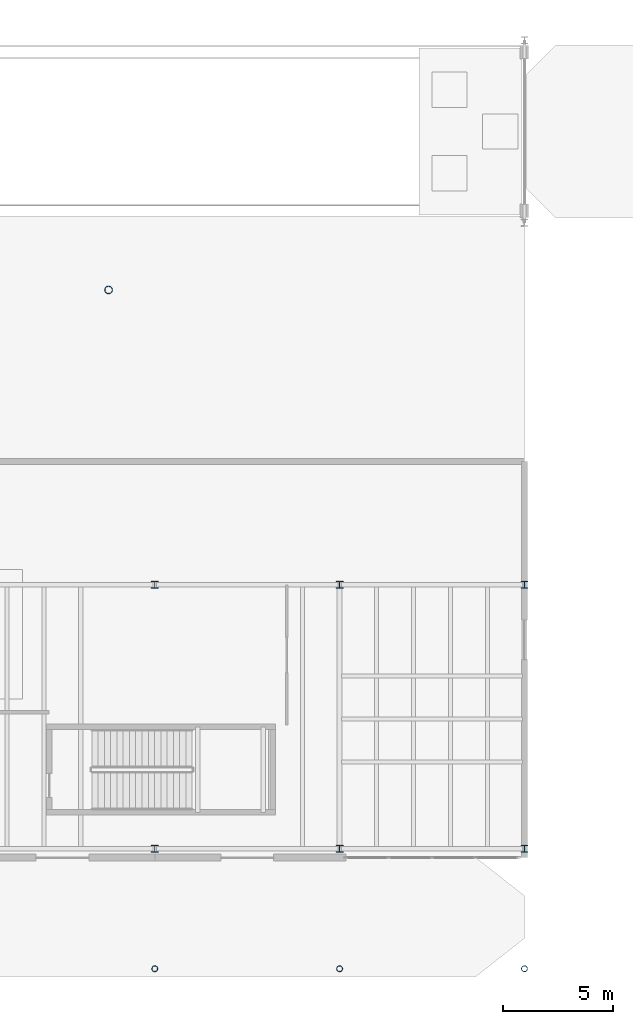
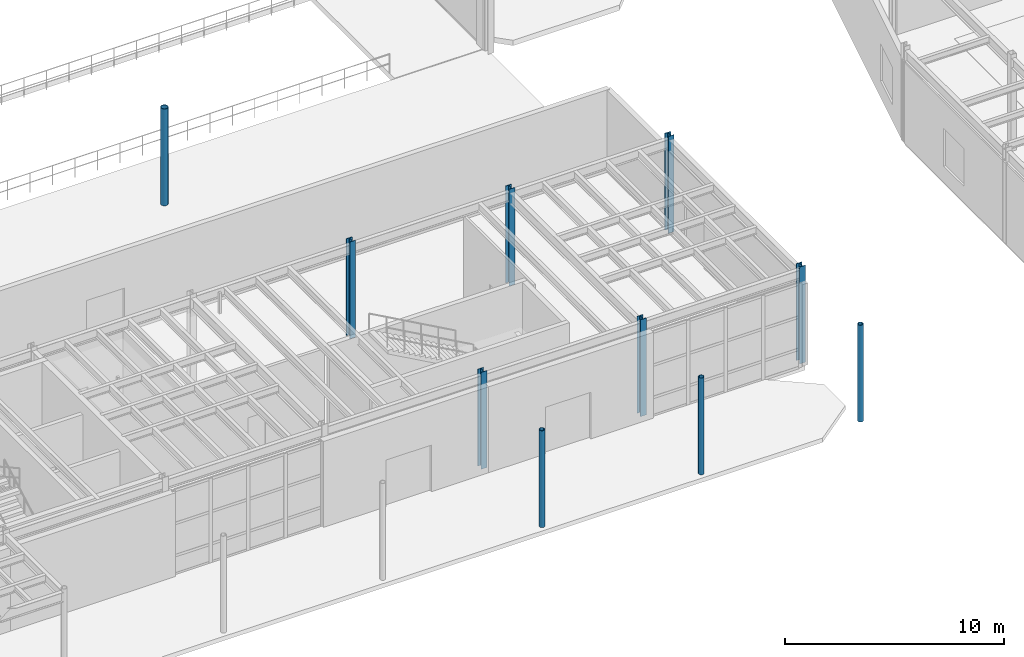
# One storey, part 9 of 87: 10 columns.
"""IFC4 building model written with IfcOpenShell, lengths in metres."""

from ifc_helpers import new_model, si_unit, direction, frame, origin, origin_2d, place, context, subcontext, project, spatial, hollow_circle, i_section, extrude, material, material_profile, profile_set, type_object, element, save


model = new_model("IFC4")

# Units and contexts
model_context = context("Model", 3, precision=1e-05, world=origin(), true_north=direction((0.0, 1.0)))
body_context = subcontext(model_context, "Body", "Model", "MODEL_VIEW")
ifc_project = project(units=[si_unit("LENGTHUNIT", "METRE"), si_unit("AREAUNIT", "SQUARE_METRE"), si_unit("VOLUMEUNIT", "CUBIC_METRE"), si_unit("PLANEANGLEUNIT", "RADIAN"), si_unit("MASSUNIT", "GRAM", prefix="KILO")], contexts=[model_context])

# Site, building, storey
site_placement = place(None, origin())
site = spatial("IfcSite", under=ifc_project, at=site_placement, CompositionType="ELEMENT")
building_placement = place(site_placement, origin())
building = spatial("IfcBuilding", under=site, at=building_placement, Name="Selat Folded Stagehouse", CompositionType="ELEMENT")
storey_placement = place(building_placement, origin())
storey = spatial("IfcBuildingStorey", under=building, at=storey_placement, Name="L00", CompositionType="ELEMENT", Elevation=0.0)

# Columns
ifc_material = material(Name="Steel S355", Category="steel")
ifc_material_profile_1 = material_profile(ifc_material, hollow_circle(Radius=0.136474609375, WallThickness=0.012451171875, at=origin_2d()), Name="CHS 273.0x12.5")
ifc_profile_set_1 = profile_set([ifc_material_profile_1], Name="Steel S355")
column_type_1 = type_object("IfcColumnType", Name="COL-CHS-273x12.5", PredefinedType="COLUMN", material=ifc_profile_set_1)
for number, where, z_axis, x_axis, name in (
    (1, (100.800048828125, 0.35009765625, 0.0), (0.0, 0.0, 1.0), (1.0, 0.0, 0.0), "L00 column STK-COLPOST-100"),
    (2, (109.199951171875, 0.35009765625, 0.0), (0.0, 0.0, 1.0), (1.0, 0.0, 0.0), "L00 column STK-COLPOST-109"),
    (3, (117.60009765625, 0.35009765625, 0.0), (0.0, 0.0, 1.0), (1.0, 0.0, 0.0), "L00 column STK-COLPOST-117"),
):
    element("IfcColumn", number, at=place(storey_placement, frame(where, z_axis=z_axis, x_axis=x_axis)), inside=storey, type_object=column_type_1, Name=name, PredefinedType="COLUMN", context=body_context, shape_type="SweptSolid", body=[
        extrude(hollow_circle(Radius=0.136474609375, WallThickness=0.012451171875, at=origin_2d()), origin(), (0.0, 0.0, 1.0), 5.39990234375),
    ])
ifc_material_profile_2 = material_profile(ifc_material, hollow_circle(Radius=0.177734375, WallThickness=0.01611328125, at=origin_2d()), Name="CHS 355.6x16.0")
ifc_profile_set_2 = profile_set([ifc_material_profile_2], Name="Steel S355")
column_type_2 = type_object("IfcColumnType", Name="COL-CHS-355x16", PredefinedType="COLUMN", material=ifc_profile_set_2)
column_placement = place(storey_placement, frame((98.699951171875, 31.199951171875, 0.0), z_axis=(0.0, 0.0, 1.0), x_axis=(1.0, 0.0, 0.0)))
element("IfcColumn", 4, at=column_placement, inside=storey, type_object=column_type_2, Name="L00 column STK-BR2-312", PredefinedType="COLUMN", context=body_context, shape_type="SweptSolid", body=[
    extrude(hollow_circle(Radius=0.177734375, WallThickness=0.01611328125, at=origin_2d()), origin(), (0.0, 0.0, 1.0), 5.39990234375),
])
ifc_material_profile_3 = material_profile(ifc_material, i_section(OverallWidth=0.311279296875, OverallDepth=0.3271484375, WebThickness=0.015869140625, FlangeThickness=0.02490234375, FilletRadius=0.01513671875, at=origin_2d()), Name="UKC 305x305x158")
ifc_profile_set_3 = profile_set([ifc_material_profile_3], Name="Steel S355")
column_type_3 = type_object("IfcColumnType", Name="COL-UKC-305x305x158", PredefinedType="COLUMN", material=ifc_profile_set_3)
for number, where, z_axis, x_axis, name in (
    (5, (100.800048828125, 5.800048828125, 0.0), (0.0, 0.0, 1.0), (1.0, 0.0, 0.0), "L00 column STK-V5-100-58"),
    (6, (100.800048828125, 17.800048828125, 0.0), (0.0, 0.0, 1.0), (1.0, 0.0, 0.0), "L00 column STK-V5-100-178"),
    (7, (109.199951171875, 5.800048828125, 0.0), (0.0, 0.0, 1.0), (1.0, 0.0, 0.0), "L00 column STK-V5-109-58"),
    (8, (109.199951171875, 17.800048828125, 0.0), (0.0, 0.0, 1.0), (1.0, 0.0, 0.0), "L00 column STK-V5-109-178"),
    (9, (117.60009765625, 5.800048828125, 0.0), (0.0, 0.0, 1.0), (1.0, 0.0, 0.0), "L00 column STK-V5-117-58"),
    (10, (117.60009765625, 17.800048828125, 0.0), (0.0, 0.0, 1.0), (1.0, 0.0, 0.0), "L00 column STK-V5-117-178"),
):
    element("IfcColumn", number, at=place(storey_placement, frame(where, z_axis=z_axis, x_axis=x_axis)), inside=storey, type_object=column_type_3, Name=name, PredefinedType="COLUMN", context=body_context, shape_type="SweptSolid", body=[
        extrude(i_section(OverallWidth=0.311279296875, OverallDepth=0.3271484375, WebThickness=0.015869140625, FlangeThickness=0.02490234375, FilletRadius=0.01513671875, at=origin_2d()), origin(), (0.0, 0.0, 1.0), 5.39990234375),
    ])

save(model, "model.ifc")
